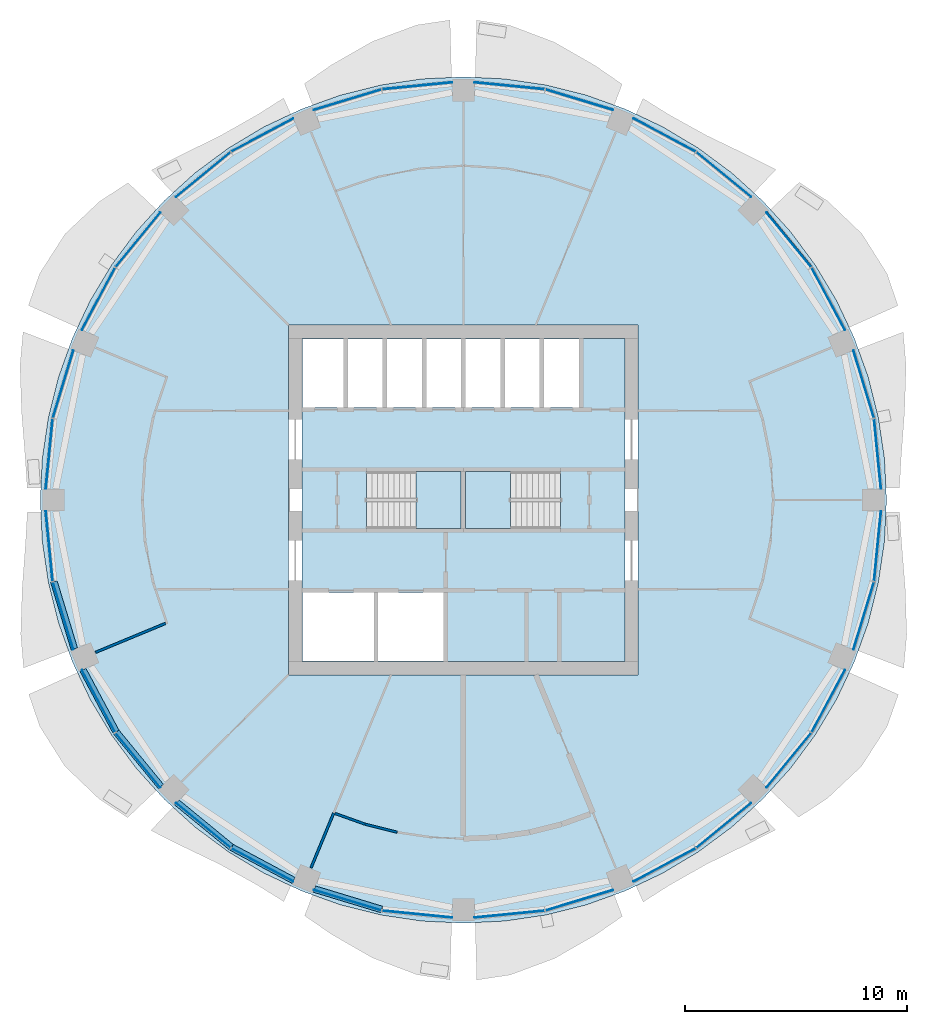
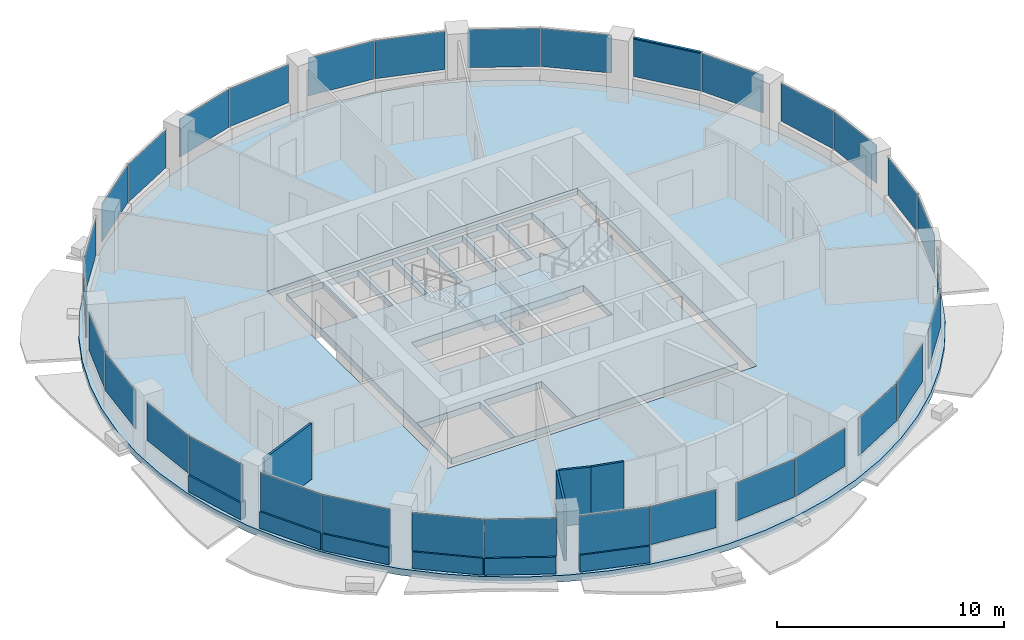
# One storey, part 7 of 15: 32 plates, 10 walls, 4 slabs, 1 member, 18 elements without a shape of their own.
"""IFC4 building model written with IfcOpenShell, lengths in metres."""

from ifc_helpers import new_model, si_unit, direction, frame, frame_2d, origin, origin_2d, place, context, subcontext, project, spatial, polyline, rectangle, outline, extrude, material, layer, layer_set, material_profile, profile_set, type_object, element, aggregate, save


model = new_model("IFC4")

# Units and contexts
model_context = context("Model", 3, precision=1e-05, world=origin(), true_north=direction((0.0, 1.0)))
body_context = subcontext(model_context, "Body", "Model", "MODEL_VIEW")
ifc_project = project(units=[si_unit("LENGTHUNIT", "METRE"), si_unit("AREAUNIT", "SQUARE_METRE"), si_unit("VOLUMEUNIT", "CUBIC_METRE"), si_unit("PLANEANGLEUNIT", "RADIAN"), si_unit("MASSUNIT", "GRAM", prefix="KILO")], contexts=[model_context])

# Site, building, storey
site_placement = place(None, origin())
site = spatial("IfcSite", under=ifc_project, at=site_placement, CompositionType="ELEMENT")
building_placement = place(site_placement, origin())
building = spatial("IfcBuilding", under=site, at=building_placement, Name="Polderwave Tower", CompositionType="ELEMENT")
storey_placement = place(building_placement, frame((0.0, 0.0, 124.300048828125)))
storey = spatial("IfcBuildingStorey", under=building, at=storey_placement, Name="L32", CompositionType="ELEMENT", Elevation=124.300048828125)

# Curtain wall, member
ifc_material_1 = material(Name="Aluminium 6063-T6 and glass", Category="aluminium")
curtain_wall_type = type_object("IfcCurtainWallType", Name="Office ribbon glazing wall", PredefinedType="NOTDEFINED", material=ifc_material_1)
curtain_wall_1_placement = place(storey_placement, origin())
curtain_wall_1 = element("IfcCurtainWall", 1, at=curtain_wall_1_placement, inside=storey, type_object=curtain_wall_type, Name="CW3 L32 01", PredefinedType="NOTDEFINED")
ifc_material_2 = material(Name="Aluminium 6063-T6", Category="aluminium")
ifc_material_profile = material_profile(ifc_material_2, rectangle(XDim=0.1201171875, YDim=0.06005859375, at=origin_2d()), Name="AL 60x120")
ifc_profile_set = profile_set([ifc_material_profile], Name="Aluminium 6063-T6")
member_type = type_object("IfcMemberType", Name="Office ribbon glazing transom 60x120", PredefinedType="USERDEFINED", material=ifc_profile_set)
member_placement = place(storey_placement, frame((15.66455078125, 10.499267578125, 2.969970703125), z_axis=(-0.634374481569, 0.773025883871, 0.0), x_axis=(-0.773025883871, -0.634374481569, 0.0)))
member = element("IfcMember", 2, at=member_placement, type_object=member_type, Name="CW3 transom 2", ObjectType="TRANSOM", PredefinedType="USERDEFINED", context=body_context, shape_type="SweptSolid", body=[
    extrude(rectangle(XDim=0.1201171875, YDim=0.06005859375, at=origin_2d()), origin(), (0.0, 0.0, 1.0), 3.167724609375),
])

# Slab
ifc_material_3 = material(Name="Concrete C40/50", Category="concrete")
ifc_layer_1 = layer(ifc_material_3, 0.35009765625)
ifc_layer_set_1 = layer_set([ifc_layer_1], Name="Core floor slab 350")
slab_type_1 = type_object("IfcSlabType", Name="Core floor slab 350", PredefinedType="FLOOR", material=ifc_layer_set_1)
slab_1_placement = place(storey_placement, frame((0.0, 0.0, -0.35009765625)))
element("IfcSlab", 3, at=slab_1_placement, inside=storey, type_object=slab_type_1, Name="L32 core floor", PredefinedType="FLOOR", context=body_context, shape_type="SweptSolid", body=[
    extrude(outline(polyline([(-7.27392578125, -7.27392578125), (7.27392578125, -7.27392578125), (7.27392578125, 7.27392578125), (-7.27392578125, 7.27392578125), (-7.27392578125, -7.27392578125)]), holes=[polyline([(-7.25390625, -7.25390625), (-4.037109375, -7.25390625), (-4.037109375, -4.174072265625), (-7.25390625, -4.174072265625), (-7.25390625, -7.25390625)]), polyline([(-3.8369140625, -7.25390625), (-0.89990234375, -7.25390625), (-0.89990234375, -4.174072265625), (-3.8369140625, -4.174072265625), (-3.8369140625, -7.25390625)]), polyline([(-7.25390625, 4.174072265625), (-5.405517578125, 4.174072265625), (-5.405517578125, 7.25390625), (-7.25390625, 7.25390625), (-7.25390625, 4.174072265625)]), polyline([(-5.20556640625, 4.174072265625), (-3.636962890625, 4.174072265625), (-3.636962890625, 7.25390625), (-5.20556640625, 7.25390625), (-5.20556640625, 4.174072265625)]), polyline([(-3.43701171875, 4.174072265625), (-1.868408203125, 4.174072265625), (-1.868408203125, 7.25390625), (-3.43701171875, 7.25390625), (-3.43701171875, 4.174072265625)]), polyline([(-1.66845703125, 4.174072265625), (-0.10009765625, 4.174072265625), (-0.10009765625, 7.25390625), (-1.66845703125, 7.25390625), (-1.66845703125, 4.174072265625)]), polyline([(0.10009765625, 4.174072265625), (1.66845703125, 4.174072265625), (1.66845703125, 7.25390625), (0.10009765625, 7.25390625), (0.10009765625, 4.174072265625)]), polyline([(1.868408203125, 4.174072265625), (3.43701171875, 4.174072265625), (3.43701171875, 7.25390625), (1.868408203125, 7.25390625), (1.868408203125, 4.174072265625)]), polyline([(3.636962890625, 4.174072265625), (5.20556640625, 4.174072265625), (5.20556640625, 7.25390625), (3.636962890625, 7.25390625), (3.636962890625, 4.174072265625)]), polyline([(-4.37353515625, -1.2744140625), (-0.1005859375, -1.2744140625), (-0.1005859375, 1.2744140625), (-4.37353515625, 1.2744140625), (-4.37353515625, -1.2744140625)]), polyline([(0.1005859375, -1.2744140625), (4.37353515625, -1.2744140625), (4.37353515625, 1.2744140625), (0.1005859375, 1.2744140625), (0.1005859375, -1.2744140625)])]), origin(), (0.0, 0.0, 1.0), 0.35009765625),
])

# Curtain wall, plates
curtain_wall_2_placement = place(storey_placement, origin())
curtain_wall_2 = element("IfcCurtainWall", 4, at=curtain_wall_2_placement, inside=storey, type_object=curtain_wall_type, Name="CW3 L32 00", PredefinedType="NOTDEFINED")
ifc_material_4 = material(Name="Glass, low-e laminated double glazing", Category="glass")
ifc_layer_2 = layer(ifc_material_4, 0.031982421875)
ifc_layer_set_2 = layer_set([ifc_layer_2], Name="Office ribbon glazing glass panel 32 mm")
plate_type = type_object("IfcPlateType", Name="Office ribbon glazing glass panel 32 mm", PredefinedType="CURTAIN_PANEL", material=ifc_layer_set_2)
plate_1_placement = place(storey_placement, frame((18.65576171875, 2.07568359375, 0.89990234375), z_axis=(0.0, 0.0, 1.0), x_axis=(-0.0979841387, 0.995187976496, 0.0)))
plate_1 = element("IfcPlate", 5, at=plate_1_placement, type_object=plate_type, Name="CW3 panel 1", PredefinedType="CURTAIN_PANEL", context=body_context, shape_type="SweptSolid", body=[
    extrude(rectangle(XDim=3.1669921875, YDim=0.031982421875, at=origin_2d()), origin(), (0.0, 0.0, 1.0), 2.0400390625),
])
plate_2_placement = place(storey_placement, frame((18.030029296875, 5.22119140625, 0.89990234375), z_axis=(0.0, 0.0, 1.0), x_axis=(-0.290389896585, 0.95690841148, 0.0)))
plate_2 = element("IfcPlate", 6, at=plate_2_placement, type_object=plate_type, Name="CW3 panel 2", PredefinedType="CURTAIN_PANEL", context=body_context, shape_type="SweptSolid", body=[
    extrude(rectangle(XDim=3.168212890625, YDim=0.031982421875, at=origin_2d()), origin(), (0.0, 0.0, 1.0), 2.0400390625),
])
aggregate(curtain_wall_2, [plate_1, plate_2])

# Plate
plate_3_placement = place(storey_placement, frame((16.44140625, 9.057373046875, 0.89990234375), z_axis=(0.0, 0.0, 1.0), x_axis=(-0.471466001306, 0.881884238215, 0.0)))
plate_3 = element("IfcPlate", 7, at=plate_3_placement, type_object=plate_type, Name="CW3 panel 1", PredefinedType="CURTAIN_PANEL", context=body_context, shape_type="SweptSolid", body=[
    extrude(rectangle(XDim=3.166748046875, YDim=0.031982421875, at=origin_2d()), origin(), (0.0, 0.0, 1.0), 2.0400390625),
])

plate_4_placement = place(storey_placement, frame((14.659912109375, 11.7236328125, 0.89990234375), z_axis=(0.0, 0.0, 1.0), x_axis=(-0.634378443311, 0.773022632697, 0.0)))
plate_4 = element("IfcPlate", 8, at=plate_4_placement, type_object=plate_type, Name="CW3 panel 2", PredefinedType="CURTAIN_PANEL", context=body_context, shape_type="SweptSolid", body=[
    extrude(rectangle(XDim=3.167724609375, YDim=0.031982421875, at=origin_2d()), origin(), (0.0, 0.0, 1.0), 2.0400390625),
])

aggregate(curtain_wall_1, [member, plate_3, plate_4])

# Curtain wall, plates
curtain_wall_3_placement = place(storey_placement, origin())
curtain_wall_3 = element("IfcCurtainWall", 9, at=curtain_wall_3_placement, inside=storey, type_object=curtain_wall_type, Name="CW3 L32 02", PredefinedType="NOTDEFINED")
plate_5_placement = place(storey_placement, frame((11.7236328125, 14.659912109375, 0.89990234375), z_axis=(0.0, 0.0, 1.0), x_axis=(-0.773022632697, 0.634378443311, 0.0)))
plate_5 = element("IfcPlate", 10, at=plate_5_placement, type_object=plate_type, Name="CW3 panel 1", PredefinedType="CURTAIN_PANEL", context=body_context, shape_type="SweptSolid", body=[
    extrude(rectangle(XDim=3.167724609375, YDim=0.031982421875, at=origin_2d()), origin(), (0.0, 0.0, 1.0), 2.0400390625),
])
plate_6_placement = place(storey_placement, frame((9.057373046875, 16.44140625, 0.89990234375), z_axis=(0.0, 0.0, 1.0), x_axis=(-0.881884238215, 0.471466001306, 0.0)))
plate_6 = element("IfcPlate", 11, at=plate_6_placement, type_object=plate_type, Name="CW3 panel 2", PredefinedType="CURTAIN_PANEL", context=body_context, shape_type="SweptSolid", body=[
    extrude(rectangle(XDim=3.166748046875, YDim=0.031982421875, at=origin_2d()), origin(), (0.0, 0.0, 1.0), 2.0400390625),
])
aggregate(curtain_wall_3, [plate_5, plate_6])

curtain_wall_4_placement = place(storey_placement, origin())
curtain_wall_4 = element("IfcCurtainWall", 12, at=curtain_wall_4_placement, inside=storey, type_object=curtain_wall_type, Name="CW3 L32 03", PredefinedType="NOTDEFINED")
plate_7_placement = place(storey_placement, frame((5.22119140625, 18.030029296875, 0.89990234375), z_axis=(0.0, 0.0, 1.0), x_axis=(-0.95690841148, 0.290389896585, 0.0)))
plate_7 = element("IfcPlate", 13, at=plate_7_placement, type_object=plate_type, Name="CW3 panel 1", PredefinedType="CURTAIN_PANEL", context=body_context, shape_type="SweptSolid", body=[
    extrude(rectangle(XDim=3.168212890625, YDim=0.031982421875, at=origin_2d()), origin(), (0.0, 0.0, 1.0), 2.0400390625),
])
plate_8_placement = place(storey_placement, frame((2.07568359375, 18.65576171875, 0.89990234375), z_axis=(0.0, 0.0, 1.0), x_axis=(-0.995187976496, 0.0979841387, 0.0)))
plate_8 = element("IfcPlate", 14, at=plate_8_placement, type_object=plate_type, Name="CW3 panel 2", PredefinedType="CURTAIN_PANEL", context=body_context, shape_type="SweptSolid", body=[
    extrude(rectangle(XDim=3.1669921875, YDim=0.031982421875, at=origin_2d()), origin(), (0.0, 0.0, 1.0), 2.0400390625),
])
aggregate(curtain_wall_4, [plate_7, plate_8])

curtain_wall_5_placement = place(storey_placement, origin())
curtain_wall_5 = element("IfcCurtainWall", 15, at=curtain_wall_5_placement, inside=storey, type_object=curtain_wall_type, Name="CW3 L32 04", PredefinedType="NOTDEFINED")
plate_9_placement = place(storey_placement, frame((-2.07568359375, 18.65576171875, 0.89990234375), z_axis=(0.0, 0.0, 1.0), x_axis=(-0.995187976496, -0.0979841387, 0.0)))
plate_9 = element("IfcPlate", 16, at=plate_9_placement, type_object=plate_type, Name="CW3 panel 1", PredefinedType="CURTAIN_PANEL", context=body_context, shape_type="SweptSolid", body=[
    extrude(rectangle(XDim=3.1669921875, YDim=0.031982421875, at=origin_2d()), origin(), (0.0, 0.0, 1.0), 2.0400390625),
])
plate_10_placement = place(storey_placement, frame((-5.22119140625, 18.030029296875, 0.89990234375), z_axis=(0.0, 0.0, 1.0), x_axis=(-0.95690841148, -0.290389896585, 0.0)))
plate_10 = element("IfcPlate", 17, at=plate_10_placement, type_object=plate_type, Name="CW3 panel 2", PredefinedType="CURTAIN_PANEL", context=body_context, shape_type="SweptSolid", body=[
    extrude(rectangle(XDim=3.168212890625, YDim=0.031982421875, at=origin_2d()), origin(), (0.0, 0.0, 1.0), 2.0400390625),
])
aggregate(curtain_wall_5, [plate_9, plate_10])

curtain_wall_6_placement = place(storey_placement, origin())
curtain_wall_6 = element("IfcCurtainWall", 18, at=curtain_wall_6_placement, inside=storey, type_object=curtain_wall_type, Name="CW3 L32 05", PredefinedType="NOTDEFINED")
plate_11_placement = place(storey_placement, frame((-9.057373046875, 16.44140625, 0.89990234375), z_axis=(0.0, 0.0, 1.0), x_axis=(-0.881884238215, -0.471466001306, 0.0)))
plate_11 = element("IfcPlate", 19, at=plate_11_placement, type_object=plate_type, Name="CW3 panel 1", PredefinedType="CURTAIN_PANEL", context=body_context, shape_type="SweptSolid", body=[
    extrude(rectangle(XDim=3.166748046875, YDim=0.031982421875, at=origin_2d()), origin(), (0.0, 0.0, 1.0), 2.0400390625),
])
plate_12_placement = place(storey_placement, frame((-11.7236328125, 14.659912109375, 0.89990234375), z_axis=(0.0, 0.0, 1.0), x_axis=(-0.773022632697, -0.634378443311, 0.0)))
plate_12 = element("IfcPlate", 20, at=plate_12_placement, type_object=plate_type, Name="CW3 panel 2", PredefinedType="CURTAIN_PANEL", context=body_context, shape_type="SweptSolid", body=[
    extrude(rectangle(XDim=3.167724609375, YDim=0.031982421875, at=origin_2d()), origin(), (0.0, 0.0, 1.0), 2.0400390625),
])
aggregate(curtain_wall_6, [plate_11, plate_12])

curtain_wall_7_placement = place(storey_placement, origin())
curtain_wall_7 = element("IfcCurtainWall", 21, at=curtain_wall_7_placement, inside=storey, type_object=curtain_wall_type, Name="CW3 L32 06", PredefinedType="NOTDEFINED")
plate_13_placement = place(storey_placement, frame((-14.659912109375, 11.7236328125, 0.89990234375), z_axis=(0.0, 0.0, 1.0), x_axis=(-0.634378443311, -0.773022632697, 0.0)))
plate_13 = element("IfcPlate", 22, at=plate_13_placement, type_object=plate_type, Name="CW3 panel 1", PredefinedType="CURTAIN_PANEL", context=body_context, shape_type="SweptSolid", body=[
    extrude(rectangle(XDim=3.167724609375, YDim=0.031982421875, at=origin_2d()), origin(), (0.0, 0.0, 1.0), 2.0400390625),
])
plate_14_placement = place(storey_placement, frame((-16.44140625, 9.057373046875, 0.89990234375), z_axis=(0.0, 0.0, 1.0), x_axis=(-0.471466001306, -0.881884238215, 0.0)))
plate_14 = element("IfcPlate", 23, at=plate_14_placement, type_object=plate_type, Name="CW3 panel 2", PredefinedType="CURTAIN_PANEL", context=body_context, shape_type="SweptSolid", body=[
    extrude(rectangle(XDim=3.166748046875, YDim=0.031982421875, at=origin_2d()), origin(), (0.0, 0.0, 1.0), 2.0400390625),
])
aggregate(curtain_wall_7, [plate_13, plate_14])

curtain_wall_8_placement = place(storey_placement, origin())
curtain_wall_8 = element("IfcCurtainWall", 24, at=curtain_wall_8_placement, inside=storey, type_object=curtain_wall_type, Name="CW3 L32 07", PredefinedType="NOTDEFINED")
plate_15_placement = place(storey_placement, frame((-18.030029296875, 5.22119140625, 0.89990234375), z_axis=(0.0, 0.0, 1.0), x_axis=(-0.290389896585, -0.95690841148, 0.0)))
plate_15 = element("IfcPlate", 25, at=plate_15_placement, type_object=plate_type, Name="CW3 panel 1", PredefinedType="CURTAIN_PANEL", context=body_context, shape_type="SweptSolid", body=[
    extrude(rectangle(XDim=3.168212890625, YDim=0.031982421875, at=origin_2d()), origin(), (0.0, 0.0, 1.0), 2.0400390625),
])
plate_16_placement = place(storey_placement, frame((-18.65576171875, 2.07568359375, 0.89990234375), z_axis=(0.0, 0.0, 1.0), x_axis=(-0.0979841387, -0.995187976496, 0.0)))
plate_16 = element("IfcPlate", 26, at=plate_16_placement, type_object=plate_type, Name="CW3 panel 2", PredefinedType="CURTAIN_PANEL", context=body_context, shape_type="SweptSolid", body=[
    extrude(rectangle(XDim=3.1669921875, YDim=0.031982421875, at=origin_2d()), origin(), (0.0, 0.0, 1.0), 2.0400390625),
])
aggregate(curtain_wall_8, [plate_15, plate_16])

curtain_wall_9_placement = place(storey_placement, origin())
curtain_wall_9 = element("IfcCurtainWall", 27, at=curtain_wall_9_placement, inside=storey, type_object=curtain_wall_type, Name="CW3 L32 08", PredefinedType="NOTDEFINED")
plate_17_placement = place(storey_placement, frame((-18.65576171875, -2.07568359375, 0.89990234375), z_axis=(0.0, 0.0, 1.0), x_axis=(0.0979841387, -0.995187976496, 0.0)))
plate_17 = element("IfcPlate", 28, at=plate_17_placement, type_object=plate_type, Name="CW3 panel 1", PredefinedType="CURTAIN_PANEL", context=body_context, shape_type="SweptSolid", body=[
    extrude(rectangle(XDim=3.1669921875, YDim=0.031982421875, at=origin_2d()), origin(), (0.0, 0.0, 1.0), 2.0400390625),
])
plate_18_placement = place(storey_placement, frame((-18.030029296875, -5.22119140625, 0.89990234375), z_axis=(0.0, 0.0, 1.0), x_axis=(0.290389896585, -0.95690841148, 0.0)))
plate_18 = element("IfcPlate", 29, at=plate_18_placement, type_object=plate_type, Name="CW3 panel 2", PredefinedType="CURTAIN_PANEL", context=body_context, shape_type="SweptSolid", body=[
    extrude(rectangle(XDim=3.168212890625, YDim=0.031982421875, at=origin_2d()), origin(), (0.0, 0.0, 1.0), 2.0400390625),
])
aggregate(curtain_wall_9, [plate_17, plate_18])

curtain_wall_10_placement = place(storey_placement, origin())
curtain_wall_10 = element("IfcCurtainWall", 30, at=curtain_wall_10_placement, inside=storey, type_object=curtain_wall_type, Name="CW3 L32 09", PredefinedType="NOTDEFINED")
plate_19_placement = place(storey_placement, frame((-16.44140625, -9.057373046875, 0.89990234375), z_axis=(0.0, 0.0, 1.0), x_axis=(0.471466001306, -0.881884238215, 0.0)))
plate_19 = element("IfcPlate", 31, at=plate_19_placement, type_object=plate_type, Name="CW3 panel 1", PredefinedType="CURTAIN_PANEL", context=body_context, shape_type="SweptSolid", body=[
    extrude(rectangle(XDim=3.166748046875, YDim=0.031982421875, at=origin_2d()), origin(), (0.0, 0.0, 1.0), 2.0400390625),
])
plate_20_placement = place(storey_placement, frame((-14.659912109375, -11.7236328125, 0.89990234375), z_axis=(0.0, 0.0, 1.0), x_axis=(0.634378443311, -0.773022632697, 0.0)))
plate_20 = element("IfcPlate", 32, at=plate_20_placement, type_object=plate_type, Name="CW3 panel 2", PredefinedType="CURTAIN_PANEL", context=body_context, shape_type="SweptSolid", body=[
    extrude(rectangle(XDim=3.167724609375, YDim=0.031982421875, at=origin_2d()), origin(), (0.0, 0.0, 1.0), 2.0400390625),
])
aggregate(curtain_wall_10, [plate_19, plate_20])

curtain_wall_11_placement = place(storey_placement, origin())
curtain_wall_11 = element("IfcCurtainWall", 33, at=curtain_wall_11_placement, inside=storey, type_object=curtain_wall_type, Name="CW3 L32 10", PredefinedType="NOTDEFINED")
plate_21_placement = place(storey_placement, frame((-11.7236328125, -14.659912109375, 0.89990234375), z_axis=(0.0, 0.0, 1.0), x_axis=(0.773022632697, -0.634378443311, 0.0)))
plate_21 = element("IfcPlate", 34, at=plate_21_placement, type_object=plate_type, Name="CW3 panel 1", PredefinedType="CURTAIN_PANEL", context=body_context, shape_type="SweptSolid", body=[
    extrude(rectangle(XDim=3.167724609375, YDim=0.031982421875, at=origin_2d()), origin(), (0.0, 0.0, 1.0), 2.0400390625),
])
plate_22_placement = place(storey_placement, frame((-9.057373046875, -16.44140625, 0.89990234375), z_axis=(0.0, 0.0, 1.0), x_axis=(0.881884238215, -0.471466001306, 0.0)))
plate_22 = element("IfcPlate", 35, at=plate_22_placement, type_object=plate_type, Name="CW3 panel 2", PredefinedType="CURTAIN_PANEL", context=body_context, shape_type="SweptSolid", body=[
    extrude(rectangle(XDim=3.166748046875, YDim=0.031982421875, at=origin_2d()), origin(), (0.0, 0.0, 1.0), 2.0400390625),
])
aggregate(curtain_wall_11, [plate_21, plate_22])

curtain_wall_12_placement = place(storey_placement, origin())
curtain_wall_12 = element("IfcCurtainWall", 36, at=curtain_wall_12_placement, inside=storey, type_object=curtain_wall_type, Name="CW3 L32 11", PredefinedType="NOTDEFINED")
plate_23_placement = place(storey_placement, frame((-5.22119140625, -18.030029296875, 0.89990234375), z_axis=(0.0, 0.0, 1.0), x_axis=(0.95690841148, -0.290389896585, 0.0)))
plate_23 = element("IfcPlate", 37, at=plate_23_placement, type_object=plate_type, Name="CW3 panel 1", PredefinedType="CURTAIN_PANEL", context=body_context, shape_type="SweptSolid", body=[
    extrude(rectangle(XDim=3.168212890625, YDim=0.031982421875, at=origin_2d()), origin(), (0.0, 0.0, 1.0), 2.0400390625),
])
plate_24_placement = place(storey_placement, frame((-2.07568359375, -18.65576171875, 0.89990234375), z_axis=(0.0, 0.0, 1.0), x_axis=(0.995187976496, -0.0979841387, 0.0)))
plate_24 = element("IfcPlate", 38, at=plate_24_placement, type_object=plate_type, Name="CW3 panel 2", PredefinedType="CURTAIN_PANEL", context=body_context, shape_type="SweptSolid", body=[
    extrude(rectangle(XDim=3.1669921875, YDim=0.031982421875, at=origin_2d()), origin(), (0.0, 0.0, 1.0), 2.0400390625),
])
aggregate(curtain_wall_12, [plate_23, plate_24])

curtain_wall_13_placement = place(storey_placement, origin())
curtain_wall_13 = element("IfcCurtainWall", 39, at=curtain_wall_13_placement, inside=storey, type_object=curtain_wall_type, Name="CW3 L32 12", PredefinedType="NOTDEFINED")
plate_25_placement = place(storey_placement, frame((2.07568359375, -18.65576171875, 0.89990234375), z_axis=(0.0, 0.0, 1.0), x_axis=(0.995187976496, 0.0979841387, 0.0)))
plate_25 = element("IfcPlate", 40, at=plate_25_placement, type_object=plate_type, Name="CW3 panel 1", PredefinedType="CURTAIN_PANEL", context=body_context, shape_type="SweptSolid", body=[
    extrude(rectangle(XDim=3.1669921875, YDim=0.031982421875, at=origin_2d()), origin(), (0.0, 0.0, 1.0), 2.0400390625),
])
plate_26_placement = place(storey_placement, frame((5.22119140625, -18.030029296875, 0.89990234375), z_axis=(0.0, 0.0, 1.0), x_axis=(0.95690841148, 0.290389896585, 0.0)))
plate_26 = element("IfcPlate", 41, at=plate_26_placement, type_object=plate_type, Name="CW3 panel 2", PredefinedType="CURTAIN_PANEL", context=body_context, shape_type="SweptSolid", body=[
    extrude(rectangle(XDim=3.168212890625, YDim=0.031982421875, at=origin_2d()), origin(), (0.0, 0.0, 1.0), 2.0400390625),
])
aggregate(curtain_wall_13, [plate_25, plate_26])

curtain_wall_14_placement = place(storey_placement, origin())
curtain_wall_14 = element("IfcCurtainWall", 42, at=curtain_wall_14_placement, inside=storey, type_object=curtain_wall_type, Name="CW3 L32 13", PredefinedType="NOTDEFINED")
plate_27_placement = place(storey_placement, frame((9.057373046875, -16.44140625, 0.89990234375), z_axis=(0.0, 0.0, 1.0), x_axis=(0.881884238215, 0.471466001306, 0.0)))
plate_27 = element("IfcPlate", 43, at=plate_27_placement, type_object=plate_type, Name="CW3 panel 1", PredefinedType="CURTAIN_PANEL", context=body_context, shape_type="SweptSolid", body=[
    extrude(rectangle(XDim=3.166748046875, YDim=0.031982421875, at=origin_2d()), origin(), (0.0, 0.0, 1.0), 2.0400390625),
])
plate_28_placement = place(storey_placement, frame((11.7236328125, -14.659912109375, 0.89990234375), z_axis=(0.0, 0.0, 1.0), x_axis=(0.773022632697, 0.634378443311, 0.0)))
plate_28 = element("IfcPlate", 44, at=plate_28_placement, type_object=plate_type, Name="CW3 panel 2", PredefinedType="CURTAIN_PANEL", context=body_context, shape_type="SweptSolid", body=[
    extrude(rectangle(XDim=3.167724609375, YDim=0.031982421875, at=origin_2d()), origin(), (0.0, 0.0, 1.0), 2.0400390625),
])
aggregate(curtain_wall_14, [plate_27, plate_28])

curtain_wall_15_placement = place(storey_placement, origin())
curtain_wall_15 = element("IfcCurtainWall", 45, at=curtain_wall_15_placement, inside=storey, type_object=curtain_wall_type, Name="CW3 L32 14", PredefinedType="NOTDEFINED")
plate_29_placement = place(storey_placement, frame((14.659912109375, -11.7236328125, 0.89990234375), z_axis=(0.0, 0.0, 1.0), x_axis=(0.634378443311, 0.773022632697, 0.0)))
plate_29 = element("IfcPlate", 46, at=plate_29_placement, type_object=plate_type, Name="CW3 panel 1", PredefinedType="CURTAIN_PANEL", context=body_context, shape_type="SweptSolid", body=[
    extrude(rectangle(XDim=3.167724609375, YDim=0.031982421875, at=origin_2d()), origin(), (0.0, 0.0, 1.0), 2.0400390625),
])
plate_30_placement = place(storey_placement, frame((16.44140625, -9.057373046875, 0.89990234375), z_axis=(0.0, 0.0, 1.0), x_axis=(0.471466001306, 0.881884238215, 0.0)))
plate_30 = element("IfcPlate", 47, at=plate_30_placement, type_object=plate_type, Name="CW3 panel 2", PredefinedType="CURTAIN_PANEL", context=body_context, shape_type="SweptSolid", body=[
    extrude(rectangle(XDim=3.166748046875, YDim=0.031982421875, at=origin_2d()), origin(), (0.0, 0.0, 1.0), 2.0400390625),
])
aggregate(curtain_wall_15, [plate_29, plate_30])

curtain_wall_16_placement = place(storey_placement, origin())
curtain_wall_16 = element("IfcCurtainWall", 48, at=curtain_wall_16_placement, inside=storey, type_object=curtain_wall_type, Name="CW3 L32 15", PredefinedType="NOTDEFINED")
plate_31_placement = place(storey_placement, frame((18.030029296875, -5.22119140625, 0.89990234375), z_axis=(0.0, 0.0, 1.0), x_axis=(0.290389896585, 0.95690841148, 0.0)))
plate_31 = element("IfcPlate", 49, at=plate_31_placement, type_object=plate_type, Name="CW3 panel 1", PredefinedType="CURTAIN_PANEL", context=body_context, shape_type="SweptSolid", body=[
    extrude(rectangle(XDim=3.168212890625, YDim=0.031982421875, at=origin_2d()), origin(), (0.0, 0.0, 1.0), 2.0400390625),
])
plate_32_placement = place(storey_placement, frame((18.65576171875, -2.07568359375, 0.89990234375), z_axis=(0.0, 0.0, 1.0), x_axis=(0.0979841387, 0.995187976496, 0.0)))
plate_32 = element("IfcPlate", 50, at=plate_32_placement, type_object=plate_type, Name="CW3 panel 2", PredefinedType="CURTAIN_PANEL", context=body_context, shape_type="SweptSolid", body=[
    extrude(rectangle(XDim=3.1669921875, YDim=0.031982421875, at=origin_2d()), origin(), (0.0, 0.0, 1.0), 2.0400390625),
])
aggregate(curtain_wall_16, [plate_31, plate_32])

# Slab
ifc_layer_3 = layer(ifc_material_3, 0.35009765625)
ifc_layer_set_3 = layer_set([ifc_layer_3], Name="PT FLOOR SLAB 350 C40/50")
slab_type_2 = type_object("IfcSlabType", Name="PT FLOOR SLAB 350 C40/50", PredefinedType="FLOOR", material=ifc_layer_set_3)
slab_2_placement = place(storey_placement, frame((0.0, 0.0, -0.35009765625)))
element("IfcSlab", 51, at=slab_2_placement, inside=storey, type_object=slab_type_2, Name="ST-SLAB-L32", PredefinedType="FLOOR", context=body_context, shape_type="SweptSolid", body=[
    extrude(outline(polyline([(19.06005859375, 0.0), (18.96826171875, 1.8681640625), (18.69384765625, 3.718505859375), (18.2392578125, 5.53271484375), (17.609130859375, 7.2939453125), (16.809326171875, 8.98486328125), (15.847900390625, 10.589111328125), (14.733642578125, 12.091552734375), (13.4775390625, 13.4775390625), (12.091552734375, 14.733642578125), (10.589111328125, 15.847900390625), (8.98486328125, 16.809326171875), (7.2939453125, 17.609130859375), (5.53271484375, 18.2392578125), (3.718505859375, 18.69384765625), (1.8681640625, 18.96826171875), (0.0, 19.06005859375), (-1.8681640625, 18.96826171875), (-3.718505859375, 18.69384765625), (-5.53271484375, 18.2392578125), (-7.2939453125, 17.609130859375), (-8.98486328125, 16.809326171875), (-10.589111328125, 15.847900390625), (-12.091552734375, 14.733642578125), (-13.4775390625, 13.4775390625), (-14.733642578125, 12.091552734375), (-15.847900390625, 10.589111328125), (-16.809326171875, 8.98486328125), (-17.609130859375, 7.2939453125), (-18.2392578125, 5.53271484375), (-18.69384765625, 3.718505859375), (-18.96826171875, 1.8681640625), (-19.06005859375, 0.0), (-18.96826171875, -1.8681640625), (-18.69384765625, -3.718505859375), (-18.2392578125, -5.53271484375), (-17.609130859375, -7.2939453125), (-16.809326171875, -8.98486328125), (-15.847900390625, -10.589111328125), (-14.733642578125, -12.091552734375), (-13.4775390625, -13.4775390625), (-12.091552734375, -14.733642578125), (-10.589111328125, -15.847900390625), (-8.98486328125, -16.809326171875), (-7.2939453125, -17.609130859375), (-5.53271484375, -18.2392578125), (-3.718505859375, -18.69384765625), (-1.8681640625, -18.96826171875), (0.0, -19.06005859375), (1.8681640625, -18.96826171875), (3.718505859375, -18.69384765625), (5.53271484375, -18.2392578125), (7.2939453125, -17.609130859375), (8.98486328125, -16.809326171875), (10.589111328125, -15.847900390625), (12.091552734375, -14.733642578125), (13.4775390625, -13.4775390625), (14.733642578125, -12.091552734375), (15.847900390625, -10.589111328125), (16.809326171875, -8.98486328125), (17.609130859375, -7.2939453125), (18.2392578125, -5.53271484375), (18.69384765625, -3.718505859375), (18.96826171875, -1.8681640625), (19.06005859375, 0.0)]), holes=[polyline([(-7.8740234375, -7.8740234375), (7.8740234375, -7.8740234375), (7.8740234375, 7.8740234375), (-7.8740234375, 7.8740234375), (-7.8740234375, -7.8740234375)])]), origin(), (0.0, 0.0, 1.0), 0.35009765625),
])

# Stair, slab
stair_type = type_object("IfcStairType", Name="Exit stair 1200 x 20 risers", PredefinedType="HALF_TURN_STAIR", material=ifc_material_3)
stair_1_placement = place(storey_placement, origin())
stair_1 = element("IfcStair", 52, at=stair_1_placement, inside=storey, type_object=stair_type, Name="L32 Exit stair A", PredefinedType="HALF_TURN_STAIR")
ifc_layer_4 = layer(ifc_material_3, 0.300048828125)
ifc_layer_set_4 = layer_set([ifc_layer_4], Name="Stair landing 300")
slab_type_3 = type_object("IfcSlabType", Name="Stair landing 300", PredefinedType="LANDING", material=ifc_layer_set_4)
slab_3_placement = place(storey_placement, frame((0.0, 0.0, 1.375)))
slab_3 = element("IfcSlab", 53, at=slab_3_placement, type_object=slab_type_3, Name="ST-A landing 1", PredefinedType="LANDING", context=body_context, shape_type="SweptSolid", body=[
    extrude(outline(polyline([(-2.1240234375, -1.27490234375), (-0.10009765625, -1.27490234375), (-0.10009765625, 1.27490234375), (-2.1240234375, 1.27490234375), (-2.1240234375, -1.27490234375)])), origin(), (0.0, 0.0, 1.0), 0.300048828125),
])
aggregate(stair_1, [slab_3])

stair_2_placement = place(storey_placement, origin())
stair_2 = element("IfcStair", 54, at=stair_2_placement, inside=storey, type_object=stair_type, Name="L32 Exit stair B", PredefinedType="HALF_TURN_STAIR")
slab_4_placement = place(storey_placement, frame((0.0, 0.0, 1.375)))
slab_4 = element("IfcSlab", 55, at=slab_4_placement, type_object=slab_type_3, Name="ST-B landing 1", PredefinedType="LANDING", context=body_context, shape_type="SweptSolid", body=[
    extrude(outline(polyline([(2.1240234375, 1.27490234375), (0.10009765625, 1.27490234375), (0.10009765625, -1.27490234375), (2.1240234375, -1.27490234375), (2.1240234375, 1.27490234375)])), origin(), (0.0, 0.0, 1.0), 0.300048828125),
])
aggregate(stair_2, [slab_4])

# Walls
ifc_material_5 = material(Name="Concrete C50/60 (board-marked)", Category="concrete")
ifc_layer_5 = layer(ifc_material_5, 0.300048828125)
ifc_layer_set_5 = layer_set([ifc_layer_5], Name="Concrete spandrel upstand C50/60")
wall_type_1 = type_object("IfcWallType", Name="Concrete spandrel upstand C50/60", PredefinedType="SOLIDWALL", material=ifc_layer_set_5)
wall_1_placement = place(storey_placement, frame((-18.444580078125, -3.683349609375, 0.0), z_axis=(0.0, 0.0, 1.0), x_axis=(0.290503096001, -0.956874051907, 0.0)))
element("IfcWall", 56, at=wall_1_placement, inside=storey, type_object=wall_type_1, Name="Spandrel L32 9b", PredefinedType="SOLIDWALL", context=body_context, shape_type="SweptSolid", body=[
    extrude(rectangle(XDim=3.157470703125, YDim=0.300048828125, at=frame_2d((1.57861328125, 0.0))), origin(), (0.0, 0.0, 1.0), 0.89990234375),
])
wall_2_placement = place(storey_placement, frame((-17.135009765625, -7.654296875, 0.0), z_axis=(0.0, 0.0, 1.0), x_axis=(0.471527722113, -0.881851238747, 0.0)))
element("IfcWall", 57, at=wall_2_placement, inside=storey, type_object=wall_type_1, Name="Spandrel L32 10a", PredefinedType="SOLIDWALL", context=body_context, shape_type="SweptSolid", body=[
    extrude(rectangle(XDim=3.1552734375, YDim=0.300048828125, at=frame_2d((1.57763671875, 0.0))), origin(), (0.0, 0.0, 1.0), 0.89990234375),
])
for number, where, z_axis, x_axis, name in (
    (58, (-15.630615234375, -10.461669921875, 0.0), (0.0, 0.0, 1.0), (0.634239575548, -0.773136573193, 0.0), "Spandrel L32 10b"),
    (59, (-12.90234375, -13.62841796875, 0.0), (0.0, 0.0, 1.0), (0.773136573193, -0.634239575548, 0.0), "Spandrel L32 11a"),
):
    element("IfcWall", number, at=place(storey_placement, frame(where, z_axis=z_axis, x_axis=x_axis)), inside=storey, type_object=wall_type_1, Name=name, PredefinedType="SOLIDWALL", context=body_context, shape_type="SweptSolid", body=[
        extrude(rectangle(XDim=3.15673828125, YDim=0.300048828125, at=frame_2d((1.578369140625, 0.0))), origin(), (0.0, 0.0, 1.0), 0.89990234375),
    ])
wall_3_placement = place(storey_placement, frame((-10.436767578125, -15.647216796875, 0.0), z_axis=(0.0, 0.0, 1.0), x_axis=(0.881851238747, -0.471527722113, 0.0)))
element("IfcWall", 60, at=wall_3_placement, inside=storey, type_object=wall_type_1, Name="Spandrel L32 11b", PredefinedType="SOLIDWALL", context=body_context, shape_type="SweptSolid", body=[
    extrude(rectangle(XDim=3.1552734375, YDim=0.300048828125, at=frame_2d((1.57763671875, 0.0))), origin(), (0.0, 0.0, 1.0), 0.89990234375),
])
wall_4_placement = place(storey_placement, frame((-6.70458984375, -17.52734375, 0.0), z_axis=(0.0, 0.0, 1.0), x_axis=(0.956874051907, -0.290503096001, 0.0)))
element("IfcWall", 61, at=wall_4_placement, inside=storey, type_object=wall_type_1, Name="Spandrel L32 12a", PredefinedType="SOLIDWALL", context=body_context, shape_type="SweptSolid", body=[
    extrude(rectangle(XDim=3.157470703125, YDim=0.300048828125, at=frame_2d((1.57861328125, 0.0))), origin(), (0.0, 0.0, 1.0), 0.89990234375),
])
ifc_material_6 = material(Name="Moisture-resistant board on steel studs, tiled", Category="steel")
ifc_layer_6 = layer(ifc_material_6, 0.10498046875)
ifc_layer_set_6 = layer_set([ifc_layer_6], Name="Partition 105 mm wet room board and tile")
wall_type_2 = type_object("IfcWallType", Name="Partition 105 mm wet room board and tile", PredefinedType="PARTITIONING", material=ifc_layer_set_6)
wall_5_placement = place(storey_placement, frame((-4.43212890625, -14.60205078125, 0.0), z_axis=(0.0, 0.0, 1.0), x_axis=(-0.941561150217, 0.336842100105, 0.0)))
element("IfcWall", 62, at=wall_5_placement, inside=storey, type_object=wall_type_2, Name="IN-L32-W040", PredefinedType="PARTITIONING", context=body_context, shape_type="SweptSolid", body=[
    extrude(rectangle(XDim=1.437255859375, YDim=0.10498046875, at=frame_2d((0.71875, 0.0))), origin(), (0.0, 0.0, 1.0), 3.0),
])
wall_6_placement = place(storey_placement, frame((-2.9794921875, -14.96630859375, 0.0), z_axis=(0.0, 0.0, 1.0), x_axis=(-0.970007640584, 0.243074427303, 0.0)))
element("IfcWall", 63, at=wall_6_placement, inside=storey, type_object=wall_type_2, Name="IN-L32-W041", PredefinedType="PARTITIONING", context=body_context, shape_type="SweptSolid", body=[
    extrude(rectangle(XDim=1.492431640625, YDim=0.10498046875, at=frame_2d((0.74609375, 0.0))), origin(), (0.0, 0.0, 1.0), 3.0),
])
ifc_material_7 = material(Name="Acoustic double plasterboard on steel studs", Category="steel")
ifc_layer_7 = layer(ifc_material_7, 0.110107421875)
ifc_layer_set_7 = layer_set([ifc_layer_7], Name="Partition 110 mm acoustic double board")
wall_type_3 = type_object("IfcWallType", Name="Partition 110 mm acoustic double board", PredefinedType="PARTITIONING", material=ifc_layer_set_7)
wall_7_placement = place(storey_placement, frame((-13.41357421875, -5.55615234375, 0.0), z_axis=(0.0, 0.0, 1.0), x_axis=(-0.923881629558, -0.382678369606, 0.0)))
element("IfcWall", 64, at=wall_7_placement, inside=storey, type_object=wall_type_3, Name="IN-L32-W036", PredefinedType="PARTITIONING", context=body_context, shape_type="SweptSolid", body=[
    extrude(rectangle(XDim=3.411376953125, YDim=0.110107421875, at=frame_2d((1.70556640625, 0.0))), origin(), (0.0, 0.0, 1.0), 3.0),
])
wall_8_placement = place(storey_placement, frame((-5.839599609375, -14.098388671875, 0.0), z_axis=(0.0, 0.0, 1.0), x_axis=(-0.382744787218, -0.923854116112, 0.0)))
element("IfcWall", 65, at=wall_8_placement, inside=storey, type_object=wall_type_3, Name="IN-L32-W039", PredefinedType="PARTITIONING", context=body_context, shape_type="SweptSolid", body=[
    extrude(rectangle(XDim=2.670166015625, YDim=0.110107421875, at=frame_2d((1.3349609375, 0.0))), origin(), (0.0, 0.0, 1.0), 3.0),
])

save(model, "model.ifc")
